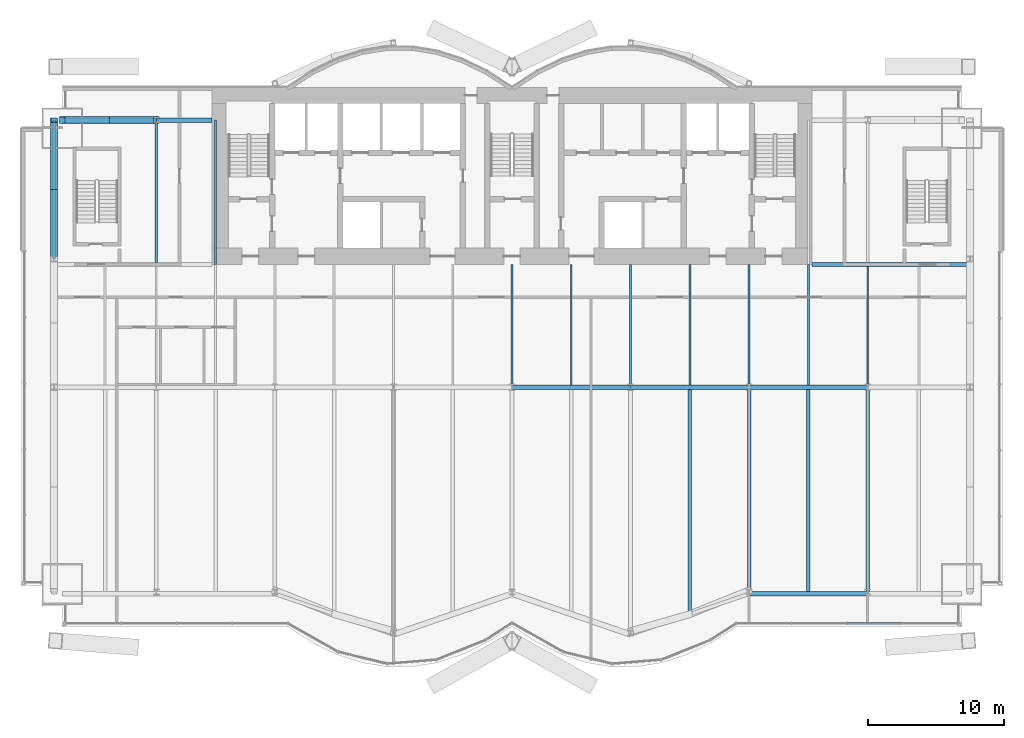
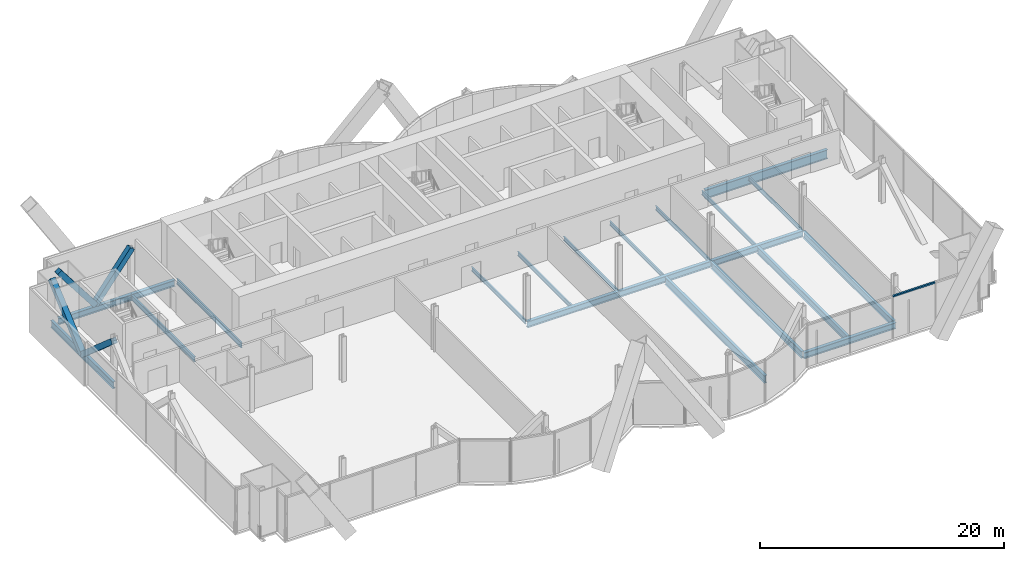
# One storey, part 9 of 21: 21 beams, 5 members, 1 element without a shape of its own.
"""IFC4 building model written with IfcOpenShell, lengths in metres."""

from ifc_helpers import new_model, si_unit, direction, frame, origin, origin_2d, place, context, subcontext, project, spatial, rectangle, hollow_rectangle, i_section, extrude, material, material_profile, profile_set, type_object, element, aggregate, save


model = new_model("IFC4")

# Units and contexts
model_context = context("Model", 3, precision=1e-05, world=origin(), true_north=direction((0.0, 1.0)))
body_context = subcontext(model_context, "Body", "Model", "MODEL_VIEW")
ifc_project = project(units=[si_unit("LENGTHUNIT", "METRE"), si_unit("AREAUNIT", "SQUARE_METRE"), si_unit("VOLUMEUNIT", "CUBIC_METRE"), si_unit("PLANEANGLEUNIT", "RADIAN"), si_unit("MASSUNIT", "GRAM", prefix="KILO")], contexts=[model_context])

# Site, building, storey
site_placement = place(None, origin())
site = spatial("IfcSite", under=ifc_project, at=site_placement, CompositionType="ELEMENT")
building_placement = place(site_placement, origin())
building = spatial("IfcBuilding", under=site, at=building_placement, Name="Bicima Exchange Tower", CompositionType="ELEMENT")
storey_placement = place(building_placement, frame((0.0, 0.0, 80.0)))
storey = spatial("IfcBuildingStorey", under=building, at=storey_placement, Name="L16", CompositionType="ELEMENT", Elevation=80.0)

# Beams
ifc_material_1 = material(Name="Steel ASTM A992 Gr 50", Category="steel")
ifc_material_profile_1 = material_profile(ifc_material_1, i_section(OverallWidth=0.3046875, OverallDepth=0.911865234375, WebThickness=0.015869140625, FlangeThickness=0.02392578125, at=origin_2d()))
ifc_profile_set_1 = profile_set([ifc_material_profile_1], Name="Steel ASTM A992 Gr 50")
beam_type_1 = type_object("IfcBeamType", Name="Core-line girder W36x150", PredefinedType="BEAM", material=ifc_profile_set_1)
beam_1_placement = place(storey_placement, frame((22.0, -13.0, -0.60595703125), z_axis=(1.0, 0.0, 0.0), x_axis=(0.0, 1.0, 0.0)))
element("IfcBeam", 1, at=beam_1_placement, inside=storey, type_object=beam_type_1, Name="Core-line girder", PredefinedType="BEAM", context=body_context, shape_type="SweptSolid", body=[
    extrude(i_section(OverallWidth=0.3046875, OverallDepth=0.911865234375, WebThickness=0.015869140625, FlangeThickness=0.02392578125, at=origin_2d()), origin(), (0.0, 0.0, 1.0), 11.60009765625),
])
ifc_material_profile_2 = material_profile(ifc_material_1, i_section(OverallWidth=0.256591796875, OverallDepth=0.693359375, WebThickness=0.014404296875, FlangeThickness=0.023681640625, at=origin_2d()))
ifc_profile_set_2 = profile_set([ifc_material_profile_2], Name="Steel ASTM A992 Gr 50")
beam_type_2 = type_object("IfcBeamType", Name="End girder W27x114", PredefinedType="BEAM", material=ifc_profile_set_2)
beam_2_placement = place(storey_placement, frame((-33.60009765625, -2.39990234375, -0.49658203125), z_axis=(0.0, -1.0, 0.0), x_axis=(1.0, 0.0, 0.0)))
element("IfcBeam", 2, at=beam_2_placement, inside=storey, type_object=beam_type_2, Name="End girder", PredefinedType="BEAM", context=body_context, shape_type="SweptSolid", body=[
    extrude(i_section(OverallWidth=0.256591796875, OverallDepth=0.693359375, WebThickness=0.014404296875, FlangeThickness=0.023681640625, at=origin_2d()), origin(), (0.0, 0.0, 1.0), 10.2001953125),
])
ifc_material_profile_3 = material_profile(ifc_material_1, i_section(OverallWidth=0.140380859375, OverallDepth=0.40380859375, WebThickness=0.007080078125, FlangeThickness=0.01123046875, at=origin_2d()))
ifc_profile_set_3 = profile_set([ifc_material_profile_3], Name="Steel ASTM A992 Gr 50")
beam_type_3 = type_object("IfcBeamType", Name="Floor beam W16x31", PredefinedType="JOIST", material=ifc_profile_set_3)
for number, where, z_axis, x_axis, name in (
    (3, (0.0, -13.0, -0.351806640625), (0.0, -1.0, 0.0), (1.0, 0.0, 0.0), "Floor beam"),
    (4, (4.35009765625, -13.0, -0.351806640625), (0.0, -1.0, 0.0), (1.0, 0.0, 0.0), "Floor beam"),
    (5, (8.699951171875, -13.0, -0.351806640625), (0.0, -1.0, 0.0), (1.0, 0.0, 0.0), "Floor beam"),
    (6, (13.050048828125, -13.0, -0.351806640625), (0.0, -1.0, 0.0), (1.0, 0.0, 0.0), "Floor beam"),
    (7, (17.39990234375, -13.0, -0.351806640625), (0.0, -1.0, 0.0), (1.0, 0.0, 0.0), "Floor beam"),
    (8, (21.75, -13.0, -0.351806640625), (0.0, -1.0, 0.0), (1.0, 0.0, 0.0), "Floor beam"),
):
    element("IfcBeam", number, at=place(storey_placement, frame(where, z_axis=z_axis, x_axis=x_axis)), inside=storey, type_object=beam_type_3, Name=name, PredefinedType="JOIST", context=body_context, shape_type="SweptSolid", body=[
        extrude(i_section(OverallWidth=0.140380859375, OverallDepth=0.40380859375, WebThickness=0.007080078125, FlangeThickness=0.01123046875, at=origin_2d()), origin(), (0.0, 0.0, 1.0), 8.83740234375),
    ])
beam_3_placement = place(storey_placement, frame((26.10009765625, -13.15234375, -0.351806640625), z_axis=(0.0, -1.0, 0.0), x_axis=(1.0, 0.0, 0.0)))
element("IfcBeam", 9, at=beam_3_placement, inside=storey, type_object=beam_type_3, Name="Floor beam", PredefinedType="JOIST", context=body_context, shape_type="SweptSolid", body=[
    extrude(i_section(OverallWidth=0.140380859375, OverallDepth=0.40380859375, WebThickness=0.007080078125, FlangeThickness=0.01123046875, at=origin_2d()), origin(), (0.0, 0.0, 1.0), 8.68505859375),
])
ifc_material_profile_4 = material_profile(ifc_material_1, i_section(OverallWidth=0.165771484375, OverallDepth=0.5283203125, WebThickness=0.009765625, FlangeThickness=0.013671875, at=origin_2d()))
ifc_profile_set_4 = profile_set([ifc_material_profile_4], Name="Steel ASTM A992 Gr 50")
beam_type_4 = type_object("IfcBeamType", Name="Floor beam W21x50", PredefinedType="JOIST", material=ifc_profile_set_4)
beam_4_placement = place(storey_placement, frame((-26.10009765625, -2.5625, -0.414306640625), z_axis=(0.0, -1.0, 0.0), x_axis=(1.0, 0.0, 0.0)))
element("IfcBeam", 10, at=beam_4_placement, inside=storey, type_object=beam_type_4, Name="Floor beam", PredefinedType="JOIST", context=body_context, shape_type="SweptSolid", body=[
    extrude(i_section(OverallWidth=0.165771484375, OverallDepth=0.5283203125, WebThickness=0.009765625, FlangeThickness=0.013671875, at=origin_2d()), origin(), (0.0, 0.0, 1.0), 10.28515625),
])
beam_5_placement = place(storey_placement, frame((-21.75, -2.39990234375, -0.414306640625), z_axis=(0.0, -1.0, 0.0), x_axis=(1.0, 0.0, 0.0)))
element("IfcBeam", 11, at=beam_5_placement, inside=storey, type_object=beam_type_4, Name="Floor beam", PredefinedType="JOIST", context=body_context, shape_type="SweptSolid", body=[
    extrude(i_section(OverallWidth=0.165771484375, OverallDepth=0.5283203125, WebThickness=0.009765625, FlangeThickness=0.013671875, at=origin_2d()), origin(), (0.0, 0.0, 1.0), 10.60009765625),
])
ifc_material_profile_5 = material_profile(ifc_material_1, i_section(OverallWidth=0.25390625, OverallDepth=0.67822265625, WebThickness=0.01171875, FlangeThickness=0.016357421875, at=origin_2d()))
ifc_profile_set_5 = profile_set([ifc_material_profile_5], Name="Steel ASTM A992 Gr 50")
beam_type_5 = type_object("IfcBeamType", Name="Floor beam W27x84", PredefinedType="JOIST", material=ifc_profile_set_5)
beam_6_placement = place(storey_placement, frame((17.39990234375, -22.16259765625, -0.489013671875), z_axis=(0.0, -1.0, 0.0), x_axis=(1.0, 0.0, 0.0)))
element("IfcBeam", 12, at=beam_6_placement, inside=storey, type_object=beam_type_5, Name="Floor beam", PredefinedType="JOIST", context=body_context, shape_type="SweptSolid", body=[
    extrude(i_section(OverallWidth=0.25390625, OverallDepth=0.67822265625, WebThickness=0.01171875, FlangeThickness=0.016357421875, at=origin_2d()), origin(), (0.0, 0.0, 1.0), 14.86181640625),
])
for number, where, z_axis, x_axis, name in (
    (13, (21.75, -22.16259765625, -0.489013671875), (0.0, -1.0, 0.0), (1.0, 0.0, 0.0), "Floor beam"),
    (14, (26.10009765625, -22.16259765625, -0.489013671875), (0.0, -1.0, 0.0), (1.0, 0.0, 0.0), "Floor beam"),
):
    element("IfcBeam", number, at=place(storey_placement, frame(where, z_axis=z_axis, x_axis=x_axis)), inside=storey, type_object=beam_type_5, Name=name, PredefinedType="JOIST", context=body_context, shape_type="SweptSolid", body=[
        extrude(i_section(OverallWidth=0.25390625, OverallDepth=0.67822265625, WebThickness=0.01171875, FlangeThickness=0.016357421875, at=origin_2d()), origin(), (0.0, 0.0, 1.0), 14.834716796875),
    ])
ifc_material_profile_6 = material_profile(ifc_material_1, i_section(OverallWidth=0.2666015625, OverallDepth=0.75439453125, WebThickness=0.01318359375, FlangeThickness=0.01708984375, at=origin_2d()))
ifc_profile_set_6 = profile_set([ifc_material_profile_6], Name="Steel ASTM A992 Gr 50")
beam_type_6 = type_object("IfcBeamType", Name="Floor beam W30x99", PredefinedType="JOIST", material=ifc_profile_set_6)
beam_7_placement = place(storey_placement, frame((13.050048828125, -22.16259765625, -0.527099609375), z_axis=(0.0, -1.0, 0.0), x_axis=(1.0, 0.0, 0.0)))
element("IfcBeam", 15, at=beam_7_placement, inside=storey, type_object=beam_type_6, Name="Floor beam", PredefinedType="JOIST", context=body_context, shape_type="SweptSolid", body=[
    extrude(i_section(OverallWidth=0.2666015625, OverallDepth=0.75439453125, WebThickness=0.01318359375, FlangeThickness=0.01708984375, at=origin_2d()), origin(), (0.0, 0.0, 1.0), 16.357421875),
])
ifc_material_profile_7 = material_profile(ifc_material_1, i_section(OverallWidth=0.3251953125, OverallDepth=0.612060546875, WebThickness=0.0126953125, FlangeThickness=0.01904296875, at=origin_2d()))
ifc_profile_set_7 = profile_set([ifc_material_profile_7], Name="Steel ASTM A992 Gr 50")
beam_type_7 = type_object("IfcBeamType", Name="Front girder W24x104", PredefinedType="BEAM", material=ifc_profile_set_7)
beam_8_placement = place(storey_placement, frame((17.39990234375, -37.159912109375, -0.4560546875), z_axis=(1.0, 0.0, 0.0), x_axis=(0.0, 1.0, 0.0)))
element("IfcBeam", 16, at=beam_8_placement, inside=storey, type_object=beam_type_7, Name="Front girder", PredefinedType="BEAM", context=body_context, shape_type="SweptSolid", body=[
    extrude(i_section(OverallWidth=0.3251953125, OverallDepth=0.612060546875, WebThickness=0.0126953125, FlangeThickness=0.01904296875, at=origin_2d()), origin(), (0.0, 0.0, 1.0), 8.7001953125),
])

# Curtain wall, member
ifc_material_2 = material(Name="Anodised bronze aluminium", Category="aluminium")
curtain_wall_type = type_object("IfcCurtainWallType", Name="Front glass wall", PredefinedType="NOTDEFINED", material=ifc_material_2)
curtain_wall_placement = place(storey_placement, origin())
curtain_wall = element("IfcCurtainWall", 17, at=curtain_wall_placement, inside=storey, type_object=curtain_wall_type, Name="Front glass wall L16 run 16", PredefinedType="NOTDEFINED")
ifc_material_profile_8 = material_profile(ifc_material_2, rectangle(XDim=0.159912109375, YDim=0.139892578125, at=origin_2d()))
ifc_profile_set_8 = profile_set([ifc_material_profile_8], Name="Anodised bronze aluminium")
member_type_1 = type_object("IfcMemberType", Name="Front glass wall transom 140 x 160", PredefinedType="USERDEFINED", material=ifc_profile_set_8)
member_placement = place(storey_placement, frame((24.591064453125, -39.330078125, 4.22998046875), z_axis=(1.0, 0.0, 0.0), x_axis=(0.0, 1.0, 0.0)))
member = element("IfcMember", 18, at=member_placement, type_object=member_type_1, Name="Front glass wall transom 3.1", ObjectType="TRANSOM", PredefinedType="USERDEFINED", context=body_context, shape_type="SweptSolid", body=[
    extrude(rectangle(XDim=0.159912109375, YDim=0.139892578125, at=origin_2d()), origin(), (0.0, 0.0, 1.0), 3.989501953125),
])
aggregate(curtain_wall, [member])

# Members
ifc_material_3 = material(Name="Steel ASTM A572 Gr 50", Category="steel")
ifc_material_profile_9 = material_profile(ifc_material_3, hollow_rectangle(XDim=0.508056640625, YDim=0.508056640625, WallThickness=0.017822265625, at=origin_2d()))
ifc_profile_set_9 = profile_set([ifc_material_profile_9], Name="Steel ASTM A572 Gr 50")
member_type_2 = type_object("IfcMemberType", Name="Mega brace HSS20x20x3/4", PredefinedType="BRACE", material=ifc_profile_set_9)
for number, where, z_axis, x_axis, name in (
    (19, (-29.550048828125, -2.39990234375, 0.0), (0.608426120198, 0.0, 0.793610519248), (0.0, 1.0, 0.0), "Mega brace rear"),
    (20, (-29.550048828125, -2.39990234375, 0.0), (-0.608426120198, 0.0, 0.793610519248), (0.0, -1.0, 0.0), "Mega brace rear"),
):
    element("IfcMember", number, at=place(storey_placement, frame(where, z_axis=z_axis, x_axis=x_axis)), inside=storey, type_object=member_type_2, Name=name, PredefinedType="BRACE", context=body_context, shape_type="SweptSolid", body=[
        extrude(hollow_rectangle(XDim=0.508056640625, YDim=0.508056640625, WallThickness=0.017822265625, at=origin_2d()), origin(), (0.0, 0.0, 1.0), 5.670166015625),
    ])
for number, where, z_axis, x_axis, name in (
    (21, (-33.60009765625, -7.5, -0.49658203125), (0.0, -0.753501002408, 0.657446757822), (1.0, 0.0, 0.0), "Mega brace west end"),
    (22, (-33.60009765625, -7.5, -0.49658203125), (0.0, 0.753501002408, 0.657446757822), (-1.0, 0.0, 0.0), "Mega brace west end"),
):
    element("IfcMember", number, at=place(storey_placement, frame(where, z_axis=z_axis, x_axis=x_axis)), inside=storey, type_object=member_type_2, Name=name, PredefinedType="BRACE", context=body_context, shape_type="SweptSolid", body=[
        extrude(hollow_rectangle(XDim=0.508056640625, YDim=0.508056640625, WallThickness=0.017822265625, at=origin_2d()), origin(), (0.0, 0.0, 1.0), 6.7685546875),
    ])

# Beams
beam_type_8 = type_object("IfcBeamType", Name="Rear girder W24x104", PredefinedType="BEAM", material=ifc_profile_set_7)
beam_9_placement = place(storey_placement, frame((-22.0, -2.39990234375, -0.4560546875), z_axis=(-1.0, 0.0, 0.0), x_axis=(0.0, -1.0, 0.0)))
element("IfcBeam", 23, at=beam_9_placement, inside=storey, type_object=beam_type_8, Name="Rear girder", PredefinedType="BEAM", context=body_context, shape_type="SweptSolid", body=[
    extrude(i_section(OverallWidth=0.3251953125, OverallDepth=0.612060546875, WebThickness=0.0126953125, FlangeThickness=0.01904296875, at=origin_2d()), origin(), (0.0, 0.0, 1.0), 4.10009765625),
])
beam_10_placement = place(storey_placement, frame((-26.10009765625, -2.39990234375, -0.4560546875), z_axis=(-1.0, 0.0, 0.0), x_axis=(0.0, -1.0, 0.0)))
element("IfcBeam", 24, at=beam_10_placement, inside=storey, type_object=beam_type_8, Name="Rear girder", PredefinedType="BEAM", context=body_context, shape_type="SweptSolid", body=[
    extrude(i_section(OverallWidth=0.3251953125, OverallDepth=0.612060546875, WebThickness=0.0126953125, FlangeThickness=0.01904296875, at=origin_2d()), origin(), (0.0, 0.0, 1.0), 6.89990234375),
])
beam_type_9 = type_object("IfcBeamType", Name="Row girder W24x104", PredefinedType="BEAM", material=ifc_profile_set_7)
for number, where, z_axis, x_axis, name in (
    (25, (0.0, -22.0, -0.4560546875), (1.0, 0.0, 0.0), (0.0, 1.0, 0.0), "Row girder"),
    (26, (8.699951171875, -22.0, -0.4560546875), (1.0, 0.0, 0.0), (0.0, 1.0, 0.0), "Row girder"),
):
    element("IfcBeam", number, at=place(storey_placement, frame(where, z_axis=z_axis, x_axis=x_axis)), inside=storey, type_object=beam_type_9, Name=name, PredefinedType="BEAM", context=body_context, shape_type="SweptSolid", body=[
        extrude(i_section(OverallWidth=0.3251953125, OverallDepth=0.612060546875, WebThickness=0.0126953125, FlangeThickness=0.01904296875, at=origin_2d()), origin(), (0.0, 0.0, 1.0), 8.699951171875),
    ])
beam_11_placement = place(storey_placement, frame((17.39990234375, -22.0, -0.4560546875), z_axis=(1.0, 0.0, 0.0), x_axis=(0.0, 1.0, 0.0)))
element("IfcBeam", 27, at=beam_11_placement, inside=storey, type_object=beam_type_9, Name="Row girder", PredefinedType="BEAM", context=body_context, shape_type="SweptSolid", body=[
    extrude(i_section(OverallWidth=0.3251953125, OverallDepth=0.612060546875, WebThickness=0.0126953125, FlangeThickness=0.01904296875, at=origin_2d()), origin(), (0.0, 0.0, 1.0), 8.7001953125),
])

save(model, "model.ifc")
